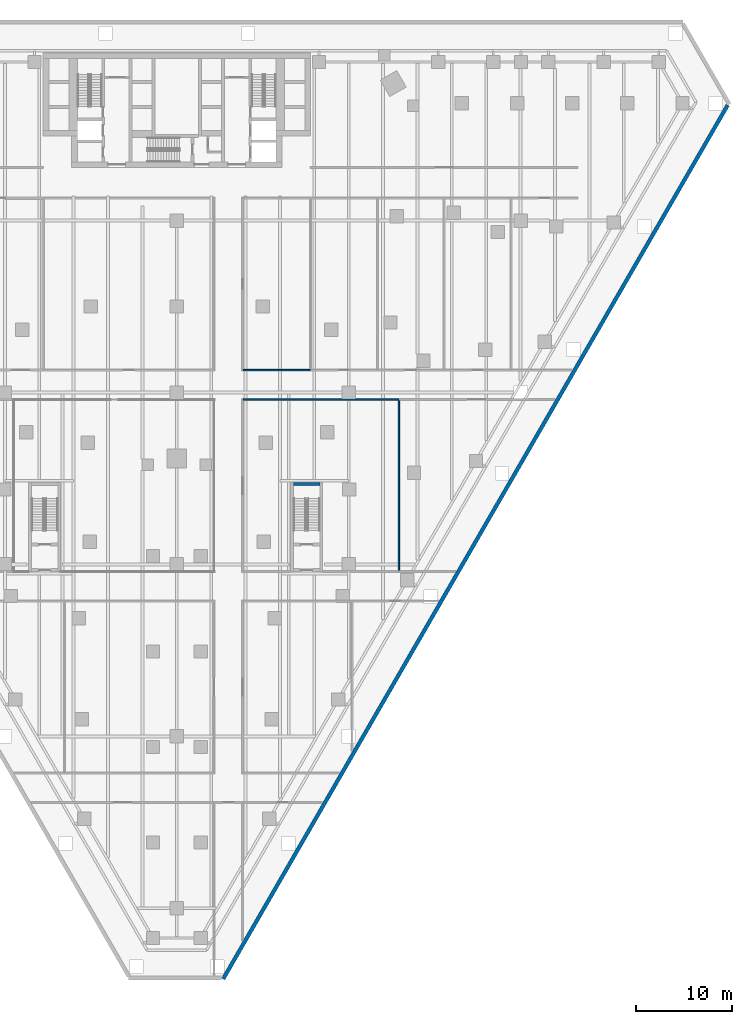
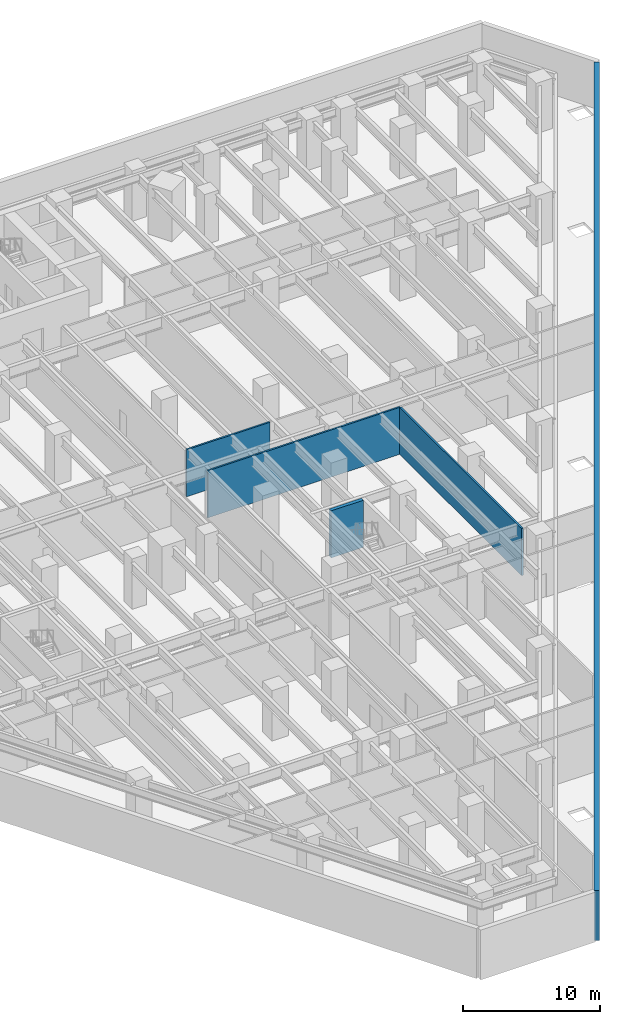
# One storey, part 12 of 20: 5 walls.
"""IFC4 building model written with IfcOpenShell, lengths in metres."""

from ifc_helpers import new_model, si_unit, direction, frame, frame_2d, origin, place, context, subcontext, project, spatial, rectangle, extrude, material, layer, layer_set, type_object, element, save


model = new_model("IFC4")

# Units and contexts
model_context = context("Model", 3, precision=1e-05, world=origin(), true_north=direction((0.0, 1.0)))
body_context = subcontext(model_context, "Body", "Model", "MODEL_VIEW")
ifc_project = project(units=[si_unit("LENGTHUNIT", "METRE"), si_unit("AREAUNIT", "SQUARE_METRE"), si_unit("VOLUMEUNIT", "CUBIC_METRE"), si_unit("PLANEANGLEUNIT", "RADIAN"), si_unit("MASSUNIT", "GRAM", prefix="KILO")], contexts=[model_context])

# Site, building, storey
site_placement = place(None, origin())
site = spatial("IfcSite", under=ifc_project, at=site_placement, CompositionType="ELEMENT")
building_placement = place(site_placement, origin())
building = spatial("IfcBuilding", under=site, at=building_placement, Name="Aloe Facet Convention Tower", CompositionType="ELEMENT")
storey_placement = place(building_placement, frame((0.0, 0.0, -4.5)))
storey = spatial("IfcBuildingStorey", under=building, at=storey_placement, Name="B1", CompositionType="ELEMENT", Elevation=-4.5)

# Walls
ifc_material_1 = material(Name="Concrete C50/60", Category="concrete")
ifc_layer_1 = layer(ifc_material_1, 0.300048828125)
ifc_layer_set_1 = layer_set([ifc_layer_1], Name="CR-W-RC300-C5060")
wall_type_1 = type_object("IfcWallType", Name="CR-W-RC300-C5060", PredefinedType="SOLIDWALL", material=ifc_layer_set_1)
wall_1_placement = place(storey_placement, frame((92.22509765625, 89.39990234375, 0.0), z_axis=(0.0, 0.0, 1.0), x_axis=(1.0, 0.0, 0.0)))
element("IfcWall", 1, at=wall_1_placement, inside=storey, type_object=wall_type_1, Name="Exit stair wall B1-05", PredefinedType="SOLIDWALL", context=body_context, shape_type="SweptSolid", body=[
    extrude(rectangle(XDim=2.75, YDim=0.300048828125, at=frame_2d((1.375, 0.0))), origin(), (0.0, 0.0, 1.0), 4.199951171875),
])
ifc_material_2 = material(Name="Gypsum board partition on steel studs, double layer", Category="steel")
ifc_layer_2 = layer(ifc_material_2, 0.14990234375)
ifc_layer_set_2 = layer_set([ifc_layer_2], Name="IN-POD-W-CORR")
wall_type_2 = type_object("IfcWallType", Name="IN-POD-W-CORR", PredefinedType="PARTITIONING", material=ifc_layer_set_2)
wall_2_placement = place(storey_placement, frame((103.2470703125, 80.324951171875, 0.0), z_axis=(0.0, 0.0, 1.0), x_axis=(0.0, 1.0, 0.0)))
element("IfcWall", 2, at=wall_2_placement, inside=storey, type_object=wall_type_2, Name="Partition B1-W024", PredefinedType="PARTITIONING", context=body_context, shape_type="SweptSolid", body=[
    extrude(rectangle(XDim=17.85009765625, YDim=0.14990234375, at=frame_2d((8.925048828125, 0.0))), origin(), (0.0, 0.0, 1.0), 4.199951171875),
])
wall_3_placement = place(storey_placement, frame((86.97509765625, 98.25, 0.0), z_axis=(0.0, 0.0, 1.0), x_axis=(1.0, 0.0, 0.0)))
element("IfcWall", 3, at=wall_3_placement, inside=storey, type_object=wall_type_2, Name="Partition B1-W029", PredefinedType="PARTITIONING", context=body_context, shape_type="SweptSolid", body=[
    extrude(rectangle(XDim=16.27197265625, YDim=0.14990234375, at=frame_2d((8.135986328125, 0.0))), origin(), (0.0, 0.0, 1.0), 4.199951171875),
])
wall_4_placement = place(storey_placement, frame((86.97509765625, 101.35009765625, 0.0), z_axis=(0.0, 0.0, 1.0), x_axis=(1.0, 0.0, 0.0)))
element("IfcWall", 4, at=wall_4_placement, inside=storey, type_object=wall_type_2, Name="Partition B1-W041", PredefinedType="PARTITIONING", context=body_context, shape_type="SweptSolid", body=[
    extrude(rectangle(XDim=7.02490234375, YDim=0.14990234375, at=frame_2d((3.512451171875, 0.0))), origin(), (0.0, 0.0, 1.0), 4.199951171875),
])
ifc_material_3 = material(Name="Concrete C40/50", Category="concrete")
ifc_layer_3 = layer(ifc_material_3, 0.39990234375)
ifc_layer_set_3 = layer_set([ifc_layer_3], Name="SF-RW-400")
wall_type_3 = type_object("IfcWallType", Name="SF-RW-400", PredefinedType="SOLIDWALL", material=ifc_layer_set_3)
wall_5_placement = place(storey_placement, frame((137.688232421875, 129.08935546875, -0.25), z_axis=(0.0, 0.0, 1.0), x_axis=(-0.499999742059, -0.866025552707, 0.0)))
element("IfcWall", 5, at=wall_5_placement, inside=storey, type_object=wall_type_3, Name="RETAINING WALL B1-01", PredefinedType="SOLIDWALL", context=body_context, shape_type="SweptSolid", body=[
    extrude(rectangle(XDim=105.65869140625, YDim=0.39990234375, at=frame_2d((52.829345703125, 0.0))), origin(), (0.0, 0.0, 1.0), 4.449951171875),
])

save(model, "model.ifc")
